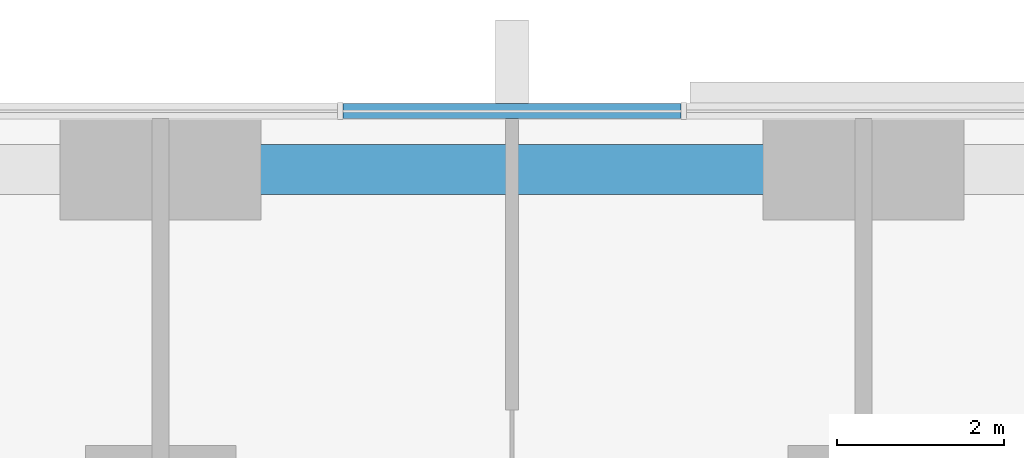
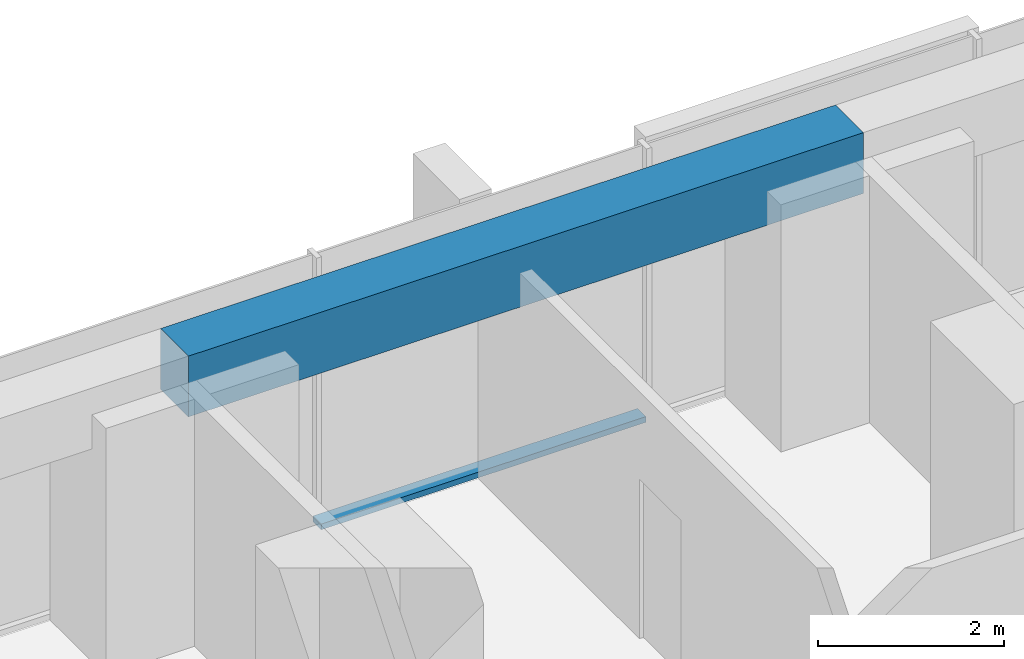
# One storey, part 7 of 17: 1 beam, 1 member, 1 element without a shape of its own.
"""IFC4 building model written with IfcOpenShell, lengths in metres."""

from ifc_helpers import new_model, si_unit, direction, frame, origin, origin_2d, place, context, subcontext, project, spatial, rectangle, extrude, material, material_profile, profile_set, type_object, element, aggregate, save


model = new_model("IFC4")

# Units and contexts
model_context = context("Model", 3, precision=1e-05, world=origin(), true_north=direction((0.0, 1.0)))
body_context = subcontext(model_context, "Body", "Model", "MODEL_VIEW")
ifc_project = project(units=[si_unit("LENGTHUNIT", "METRE"), si_unit("AREAUNIT", "SQUARE_METRE"), si_unit("VOLUMEUNIT", "CUBIC_METRE"), si_unit("PLANEANGLEUNIT", "RADIAN"), si_unit("MASSUNIT", "GRAM", prefix="KILO")], contexts=[model_context])

# Site, building, storey
site_placement = place(None, origin())
site = spatial("IfcSite", under=ifc_project, at=site_placement, CompositionType="ELEMENT")
building_placement = place(site_placement, origin())
building = spatial("IfcBuilding", under=site, at=building_placement, Name="Dunama Terrace Hotel", CompositionType="ELEMENT")
storey_placement = place(building_placement, frame((0.0, 0.0, 45.0)))
storey = spatial("IfcBuildingStorey", under=building, at=storey_placement, Name="L10", CompositionType="ELEMENT", Elevation=45.0)

# Curtain wall, member
ifc_material_1 = material(Name="Aluminium curtain wall system", Category="aluminium")
curtain_wall_type = type_object("IfcCurtainWallType", Name="Unitised fritted glass wall CW-A", PredefinedType="NOTDEFINED", material=ifc_material_1)
curtain_wall_placement = place(storey_placement, origin())
curtain_wall = element("IfcCurtainWall", 1, at=curtain_wall_placement, inside=storey, type_object=curtain_wall_type, Name="Unitised fritted glass wall CW-A L10", PredefinedType="NOTDEFINED")
ifc_material_2 = material(Name="Aluminium transom", Category="aluminium")
ifc_material_profile_1 = material_profile(ifc_material_2, rectangle(XDim=0.179931640625, YDim=0.074951171875, at=origin_2d()), Name="CWA TRANSOM 180X75")
ifc_profile_set_1 = profile_set([ifc_material_profile_1], Name="Aluminium transom")
member_type = type_object("IfcMemberType", Name="CWA transom 180x75", PredefinedType="USERDEFINED", material=ifc_profile_set_1)
member_placement = place(storey_placement, frame((31.4208984375, 58.89990234375, 0.03759765625), z_axis=(-1.0, 0.0, 0.0), x_axis=(0.0, -1.0, 0.0)))
member = element("IfcMember", 2, at=member_placement, type_object=member_type, Name="CWA transom", ObjectType="TRANSOM", PredefinedType="USERDEFINED", context=body_context, shape_type="SweptSolid", body=[
    extrude(rectangle(XDim=0.179931640625, YDim=0.074951171875, at=origin_2d()), origin(), (0.0, 0.0, 1.0), 4.0419921875),
])
aggregate(curtain_wall, [member])

# Beam
ifc_material_3 = material(Name="Concrete C40/50", Category="concrete")
ifc_material_profile_2 = material_profile(ifc_material_3, rectangle(XDim=0.60009765625, YDim=0.800048828125, at=origin_2d()), Name="RC 600x800")
ifc_profile_set_2 = profile_set([ifc_material_profile_2], Name="Concrete C40/50")
beam_type = type_object("IfcBeamType", Name="Edge beam RC 600x800", PredefinedType="SPANDREL", material=ifc_profile_set_2)
beam_placement = place(storey_placement, frame((25.199951171875, 58.199951171875, 3.199951171875), z_axis=(1.0, 0.0, 0.0), x_axis=(0.0, 1.0, 0.0)))
element("IfcBeam", 3, at=beam_placement, inside=storey, type_object=beam_type, Name="Edge beam under L11", PredefinedType="SPANDREL", context=body_context, shape_type="SweptSolid", body=[
    extrude(rectangle(XDim=0.60009765625, YDim=0.800048828125, at=origin_2d()), origin(), (0.0, 0.0, 1.0), 8.400146484375),
])

save(model, "model.ifc")
